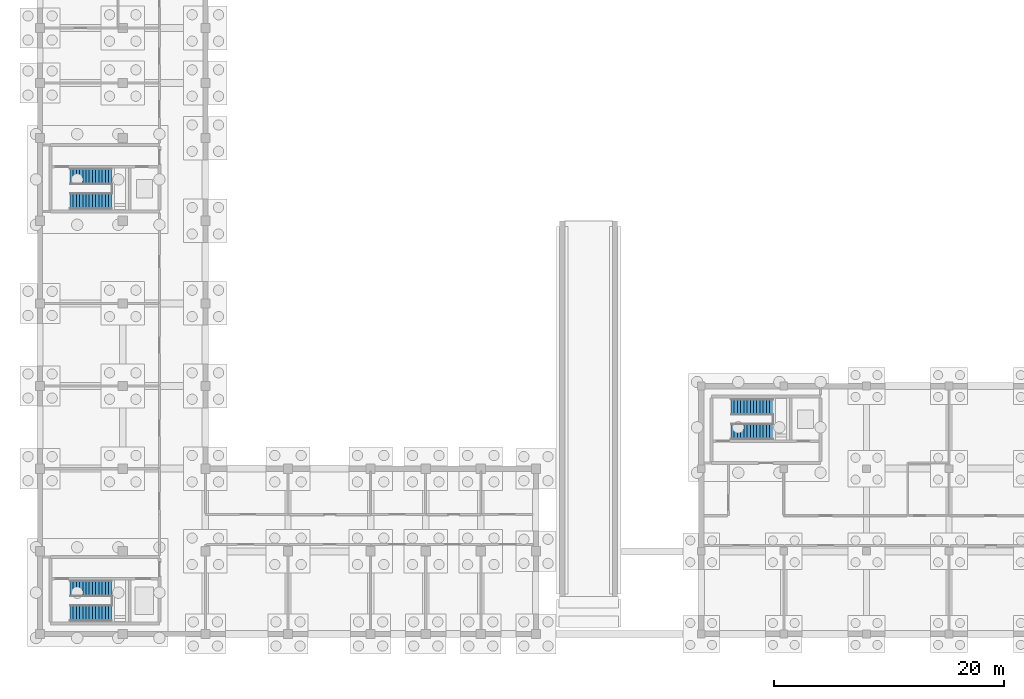
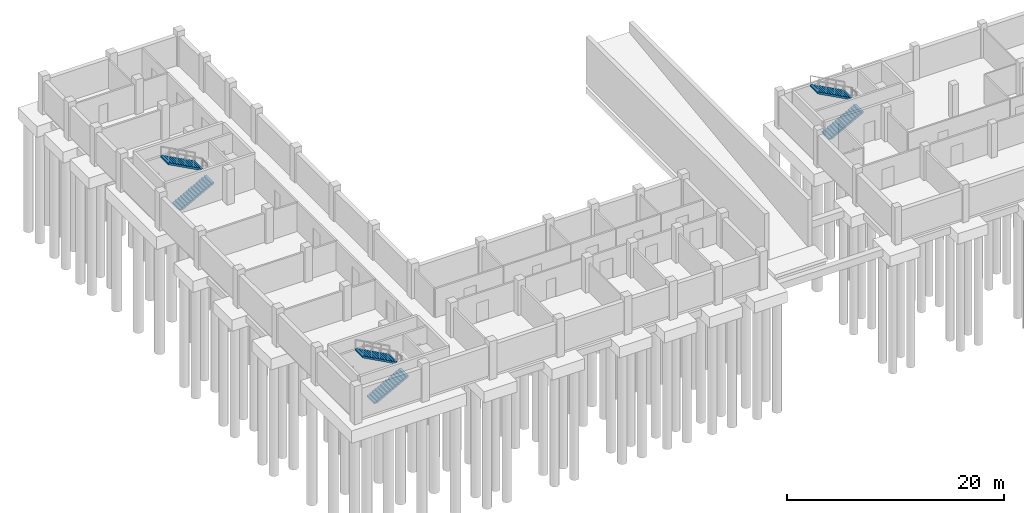
# One storey, part 8 of 10: 6 stair flights, 3 elements without a shape of their own.
"""IFC4 building model written with IfcOpenShell, lengths in metres."""

from ifc_helpers import new_model, si_unit, direction, frame, origin, place, context, subcontext, project, spatial, polyline, outline, extrude, material, type_object, element, aggregate, save


model = new_model("IFC4")

# Units and contexts
model_context = context("Model", 3, precision=1e-05, world=origin(), true_north=direction((0.0, 1.0)))
body_context = subcontext(model_context, "Body", "Model", "MODEL_VIEW")
ifc_project = project(units=[si_unit("LENGTHUNIT", "METRE"), si_unit("AREAUNIT", "SQUARE_METRE"), si_unit("VOLUMEUNIT", "CUBIC_METRE"), si_unit("PLANEANGLEUNIT", "RADIAN"), si_unit("MASSUNIT", "GRAM", prefix="KILO")], contexts=[model_context])

# Site, building, storey
site_placement = place(None, origin())
site = spatial("IfcSite", under=ifc_project, at=site_placement, CompositionType="ELEMENT")
building_placement = place(site_placement, origin())
building = spatial("IfcBuilding", under=site, at=building_placement, Name="Zornivar Specialist Clinic", CompositionType="ELEMENT")
storey_placement = place(building_placement, frame((0.0, 0.0, -4.199951171875)))
storey = spatial("IfcBuildingStorey", under=building, at=storey_placement, Name="B1", CompositionType="ELEMENT", Elevation=-4.199951171875)

# Stair, stair flights
ifc_material_1 = material(Name="Concrete C30/37", Category="concrete")
stair_type = type_object("IfcStairType", Name="STR-CORE-B1-L00", PredefinedType="HALF_TURN_STAIR", material=ifc_material_1)
stair_1_placement = place(storey_placement, origin())
stair_1 = element("IfcStair", 1, at=stair_1_placement, inside=storey, type_object=stair_type, Name="stair:C1:B1", PredefinedType="HALF_TURN_STAIR")
ifc_material_2 = material(Name="Concrete C30/37", Category="concrete")
stair_flight_type = type_object("IfcStairFlightType", Name="STR-CORE-B1-L00-FLT", PredefinedType="STRAIGHT", material=ifc_material_2)
stair_flight_1_placement = place(storey_placement, frame((2.60009765625, 1.820068359375, 0.0), z_axis=(0.0, 0.0, 1.0), x_axis=(1.0, 0.0, 0.0)))
stair_flight_1 = element("IfcStairFlight", 2, at=stair_flight_1_placement, type_object=stair_flight_type, Name="stair:C1:B1:f1", NumberOfRisers=14, NumberOfTreads=13, PredefinedType="STRAIGHT", RiserHeight=0.15, TreadLength=0.28, context=body_context, shape_type="SweptSolid", body=[
    extrude(outline(polyline([(0.0, 0.0), (0.0, 0.14990234375), (0.280029296875, 0.14990234375), (0.280029296875, 0.300048828125), (0.56005859375, 0.300048828125), (0.56005859375, 0.449951171875), (0.840087890625, 0.449951171875), (0.840087890625, 0.60009765625), (1.1201171875, 0.60009765625), (1.1201171875, 0.75), (1.39990234375, 0.75), (1.39990234375, 0.89990234375), (1.679931640625, 0.89990234375), (1.679931640625, 1.050048828125), (1.9599609375, 1.050048828125), (1.9599609375, 1.199951171875), (2.239990234375, 1.199951171875), (2.239990234375, 1.35009765625), (2.52001953125, 1.35009765625), (2.52001953125, 1.5), (2.800048828125, 1.5), (2.800048828125, 1.64990234375), (3.080078125, 1.64990234375), (3.080078125, 1.800048828125), (3.360107421875, 1.800048828125), (3.360107421875, 1.949951171875), (3.639892578125, 1.949951171875), (3.639892578125, 2.10009765625), (3.639892578125, 1.7685546875), (0.338623046875, 0.0), (0.0, 0.0)])), frame((0.0, 0.699951171875, 0.0), z_axis=(0.0, -1.0, 0.0), x_axis=(1.0, 0.0, 0.0)), (0.0, 0.0, 1.0), 1.39990234375),
])
stair_flight_2_placement = place(storey_placement, frame((6.239990234375, 3.97998046875, 2.099853515625), z_axis=(0.0, 0.0, 1.0), x_axis=(-1.0, 0.0, 0.0)))
stair_flight_2 = element("IfcStairFlight", 3, at=stair_flight_2_placement, type_object=stair_flight_type, Name="stair:C1:B1:f2", NumberOfRisers=14, NumberOfTreads=13, PredefinedType="STRAIGHT", RiserHeight=0.15, TreadLength=0.28, context=body_context, shape_type="SweptSolid", body=[
    extrude(outline(polyline([(0.0, 0.0), (0.0, 0.14990234375), (0.280029296875, 0.14990234375), (0.280029296875, 0.300048828125), (0.56005859375, 0.300048828125), (0.56005859375, 0.449951171875), (0.840087890625, 0.449951171875), (0.840087890625, 0.60009765625), (1.1201171875, 0.60009765625), (1.1201171875, 0.75), (1.39990234375, 0.75), (1.39990234375, 0.89990234375), (1.679931640625, 0.89990234375), (1.679931640625, 1.050048828125), (1.9599609375, 1.050048828125), (1.9599609375, 1.199951171875), (2.239990234375, 1.199951171875), (2.239990234375, 1.35009765625), (2.52001953125, 1.35009765625), (2.52001953125, 1.5), (2.800048828125, 1.5), (2.800048828125, 1.64990234375), (3.080078125, 1.64990234375), (3.080078125, 1.800048828125), (3.360107421875, 1.800048828125), (3.360107421875, 1.949951171875), (3.639892578125, 1.949951171875), (3.639892578125, 2.10009765625), (3.639892578125, 1.7685546875), (0.338623046875, 0.0), (0.0, 0.0)])), frame((0.0, 0.699951171875, 0.0), z_axis=(0.0, -1.0, 0.0), x_axis=(1.0, 0.0, 0.0)), (0.0, 0.0, 1.0), 1.39990234375),
])
aggregate(stair_1, [stair_flight_1, stair_flight_2])

stair_2_placement = place(storey_placement, origin())
stair_2 = element("IfcStair", 4, at=stair_2_placement, inside=storey, type_object=stair_type, Name="stair:C2:B1", PredefinedType="HALF_TURN_STAIR")
stair_flight_3_placement = place(storey_placement, frame((2.60009765625, 37.719970703125, 0.0), z_axis=(0.0, 0.0, 1.0), x_axis=(1.0, 0.0, 0.0)))
stair_flight_3 = element("IfcStairFlight", 5, at=stair_flight_3_placement, type_object=stair_flight_type, Name="stair:C2:B1:f1", NumberOfRisers=14, NumberOfTreads=13, PredefinedType="STRAIGHT", RiserHeight=0.15, TreadLength=0.28, context=body_context, shape_type="SweptSolid", body=[
    extrude(outline(polyline([(0.0, 0.0), (0.0, 0.14990234375), (0.280029296875, 0.14990234375), (0.280029296875, 0.300048828125), (0.56005859375, 0.300048828125), (0.56005859375, 0.449951171875), (0.840087890625, 0.449951171875), (0.840087890625, 0.60009765625), (1.1201171875, 0.60009765625), (1.1201171875, 0.75), (1.39990234375, 0.75), (1.39990234375, 0.89990234375), (1.679931640625, 0.89990234375), (1.679931640625, 1.050048828125), (1.9599609375, 1.050048828125), (1.9599609375, 1.199951171875), (2.239990234375, 1.199951171875), (2.239990234375, 1.35009765625), (2.52001953125, 1.35009765625), (2.52001953125, 1.5), (2.800048828125, 1.5), (2.800048828125, 1.64990234375), (3.080078125, 1.64990234375), (3.080078125, 1.800048828125), (3.360107421875, 1.800048828125), (3.360107421875, 1.949951171875), (3.639892578125, 1.949951171875), (3.639892578125, 2.10009765625), (3.639892578125, 1.7685546875), (0.338623046875, 0.0), (0.0, 0.0)])), frame((0.0, 0.699951171875, 0.0), z_axis=(0.0, -1.0, 0.0), x_axis=(1.0, 0.0, 0.0)), (0.0, 0.0, 1.0), 1.39990234375),
])
stair_flight_4_placement = place(storey_placement, frame((6.239990234375, 39.8798828125, 2.099853515625), z_axis=(0.0, 0.0, 1.0), x_axis=(-1.0, 0.0, 0.0)))
stair_flight_4 = element("IfcStairFlight", 6, at=stair_flight_4_placement, type_object=stair_flight_type, Name="stair:C2:B1:f2", NumberOfRisers=14, NumberOfTreads=13, PredefinedType="STRAIGHT", RiserHeight=0.15, TreadLength=0.28, context=body_context, shape_type="SweptSolid", body=[
    extrude(outline(polyline([(0.0, 0.0), (0.0, 0.14990234375), (0.280029296875, 0.14990234375), (0.280029296875, 0.300048828125), (0.56005859375, 0.300048828125), (0.56005859375, 0.449951171875), (0.840087890625, 0.449951171875), (0.840087890625, 0.60009765625), (1.1201171875, 0.60009765625), (1.1201171875, 0.75), (1.39990234375, 0.75), (1.39990234375, 0.89990234375), (1.679931640625, 0.89990234375), (1.679931640625, 1.050048828125), (1.9599609375, 1.050048828125), (1.9599609375, 1.199951171875), (2.239990234375, 1.199951171875), (2.239990234375, 1.35009765625), (2.52001953125, 1.35009765625), (2.52001953125, 1.5), (2.800048828125, 1.5), (2.800048828125, 1.64990234375), (3.080078125, 1.64990234375), (3.080078125, 1.800048828125), (3.360107421875, 1.800048828125), (3.360107421875, 1.949951171875), (3.639892578125, 1.949951171875), (3.639892578125, 2.10009765625), (3.639892578125, 1.7685546875), (0.338623046875, 0.0), (0.0, 0.0)])), frame((0.0, 0.699951171875, 0.0), z_axis=(0.0, -1.0, 0.0), x_axis=(1.0, 0.0, 0.0)), (0.0, 0.0, 1.0), 1.39990234375),
])
aggregate(stair_2, [stair_flight_3, stair_flight_4])

stair_3_placement = place(storey_placement, origin())
stair_3 = element("IfcStair", 7, at=stair_3_placement, inside=storey, type_object=stair_type, Name="stair:C5:B1", PredefinedType="HALF_TURN_STAIR")
stair_flight_5_placement = place(storey_placement, frame((60.199951171875, 17.6201171875, 0.0), z_axis=(0.0, 0.0, 1.0), x_axis=(1.0, 0.0, 0.0)))
stair_flight_5 = element("IfcStairFlight", 8, at=stair_flight_5_placement, type_object=stair_flight_type, Name="stair:C5:B1:f1", NumberOfRisers=14, NumberOfTreads=13, PredefinedType="STRAIGHT", RiserHeight=0.15, TreadLength=0.28, context=body_context, shape_type="SweptSolid", body=[
    extrude(outline(polyline([(0.0, 0.0), (0.0, 0.14990234375), (0.280029296875, 0.14990234375), (0.280029296875, 0.300048828125), (0.56005859375, 0.300048828125), (0.56005859375, 0.449951171875), (0.840087890625, 0.449951171875), (0.840087890625, 0.60009765625), (1.1201171875, 0.60009765625), (1.1201171875, 0.75), (1.39990234375, 0.75), (1.39990234375, 0.89990234375), (1.679931640625, 0.89990234375), (1.679931640625, 1.050048828125), (1.9599609375, 1.050048828125), (1.9599609375, 1.199951171875), (2.239990234375, 1.199951171875), (2.239990234375, 1.35009765625), (2.52001953125, 1.35009765625), (2.52001953125, 1.5), (2.800048828125, 1.5), (2.800048828125, 1.64990234375), (3.080078125, 1.64990234375), (3.080078125, 1.800048828125), (3.360107421875, 1.800048828125), (3.360107421875, 1.949951171875), (3.639892578125, 1.949951171875), (3.639892578125, 2.10009765625), (3.639892578125, 1.7685546875), (0.338623046875, 0.0), (0.0, 0.0)])), frame((0.0, 0.699951171875, 0.0), z_axis=(0.0, -1.0, 0.0), x_axis=(1.0, 0.0, 0.0)), (0.0, 0.0, 1.0), 1.39990234375),
])
stair_flight_6_placement = place(storey_placement, frame((63.840087890625, 19.780029296875, 2.099853515625), z_axis=(0.0, 0.0, 1.0), x_axis=(-1.0, 0.0, 0.0)))
stair_flight_6 = element("IfcStairFlight", 9, at=stair_flight_6_placement, type_object=stair_flight_type, Name="stair:C5:B1:f2", NumberOfRisers=14, NumberOfTreads=13, PredefinedType="STRAIGHT", RiserHeight=0.15, TreadLength=0.28, context=body_context, shape_type="SweptSolid", body=[
    extrude(outline(polyline([(0.0, 0.0), (0.0, 0.14990234375), (0.280029296875, 0.14990234375), (0.280029296875, 0.300048828125), (0.56005859375, 0.300048828125), (0.56005859375, 0.449951171875), (0.840087890625, 0.449951171875), (0.840087890625, 0.60009765625), (1.1201171875, 0.60009765625), (1.1201171875, 0.75), (1.39990234375, 0.75), (1.39990234375, 0.89990234375), (1.679931640625, 0.89990234375), (1.679931640625, 1.050048828125), (1.9599609375, 1.050048828125), (1.9599609375, 1.199951171875), (2.239990234375, 1.199951171875), (2.239990234375, 1.35009765625), (2.52001953125, 1.35009765625), (2.52001953125, 1.5), (2.800048828125, 1.5), (2.800048828125, 1.64990234375), (3.080078125, 1.64990234375), (3.080078125, 1.800048828125), (3.360107421875, 1.800048828125), (3.360107421875, 1.949951171875), (3.639892578125, 1.949951171875), (3.639892578125, 2.10009765625), (3.639892578125, 1.7685546875), (0.338623046875, 0.0), (0.0, 0.0)])), frame((0.0, 0.699951171875, 0.0), z_axis=(0.0, -1.0, 0.0), x_axis=(1.0, 0.0, 0.0)), (0.0, 0.0, 1.0), 1.39990234375),
])
aggregate(stair_3, [stair_flight_5, stair_flight_6])

save(model, "model.ifc")
